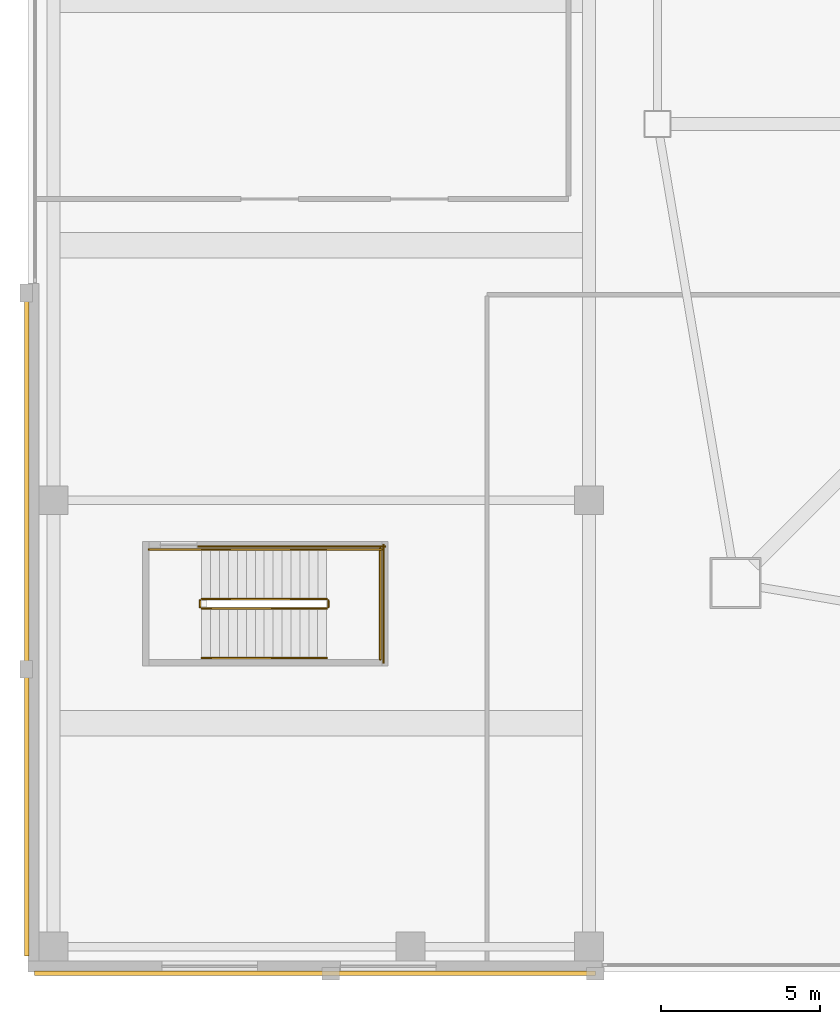
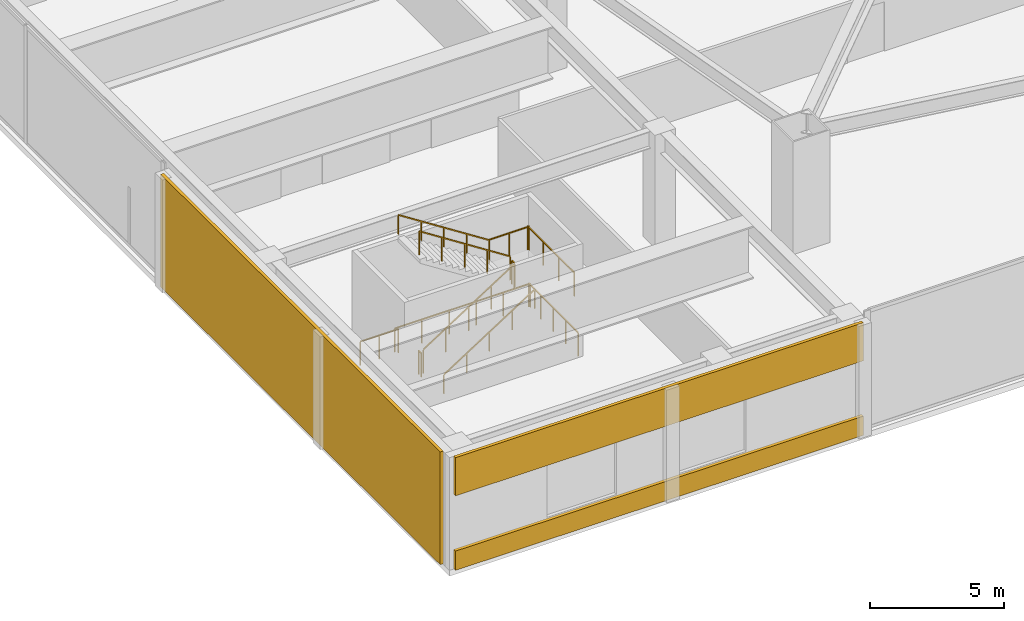
# One storey, part 40 of 48: 11 railings, 3 coverings.
"""IFC4 building model written with IfcOpenShell, lengths in metres."""

from ifc_helpers import new_model, si_unit, direction, frame, origin, origin_2d, place, context, subcontext, project, spatial, rectangle, extrude, material, layer, layer_set, type_object, element, save


model = new_model("IFC4")

# Units and contexts
model_context = context("Model", 3, precision=1e-05, world=origin(), true_north=direction((0.0, 1.0)))
body_context = subcontext(model_context, "Body", "Model", "MODEL_VIEW")
ifc_project = project(units=[si_unit("LENGTHUNIT", "METRE"), si_unit("AREAUNIT", "SQUARE_METRE"), si_unit("VOLUMEUNIT", "CUBIC_METRE"), si_unit("PLANEANGLEUNIT", "RADIAN"), si_unit("MASSUNIT", "GRAM", prefix="KILO")], contexts=[model_context])

# Site, building, storey
site_placement = place(None, origin())
site = spatial("IfcSite", under=ifc_project, at=site_placement, CompositionType="ELEMENT")
building_placement = place(site_placement, origin())
building = spatial("IfcBuilding", under=site, at=building_placement, Name="Tashvorn Skyway Center", CompositionType="ELEMENT")
storey_placement = place(building_placement, frame((0.0, 0.0, 10.199951171875)))
storey = spatial("IfcBuildingStorey", under=building, at=storey_placement, Name="L02", CompositionType="ELEMENT", Elevation=10.199951171875)

# Coverings
ifc_material_1 = material(Name="Precast concrete C40/50", Category="concrete")
ifc_layer = layer(ifc_material_1, 0.35009765625)
ifc_layer_set = layer_set([ifc_layer], Name="Precast concrete C40/50")
covering_type = type_object("IfcCoveringType", Name="COV-STONE-TRIM", PredefinedType="CLADDING", material=ifc_layer_set)
covering_1_placement = place(storey_placement, frame((9.0, -0.0400390625, 0.0), z_axis=(0.0, 0.0, 1.0), x_axis=(1.0, 0.0, 0.0)))
element("IfcCovering", 1, at=covering_1_placement, inside=storey, type_object=covering_type, Name="L02 Limestone Sill Course S-W1", PredefinedType="CLADDING", context=body_context, shape_type="SweptSolid", body=[
    extrude(rectangle(XDim=17.60009765625, YDim=0.139892578125, at=origin_2d()), origin(), (0.0, 0.0, 1.0), 0.8798828125),
])
covering_2_placement = place(storey_placement, frame((9.0, -0.0400390625, 3.39990234375), z_axis=(0.0, 0.0, 1.0), x_axis=(1.0, 0.0, 0.0)))
element("IfcCovering", 2, at=covering_2_placement, inside=storey, type_object=covering_type, Name="L02 Limestone Spandrel Course S-W1", PredefinedType="CLADDING", context=body_context, shape_type="SweptSolid", body=[
    extrude(rectangle(XDim=17.60009765625, YDim=0.139892578125, at=origin_2d()), origin(), (0.0, 0.0, 1.0), 1.739990234375),
])
covering_3_placement = place(storey_placement, frame((-0.0400390625, 10.949951171875, 0.0), z_axis=(0.0, 0.0, 1.0), x_axis=(1.0, 0.0, 0.0)))
element("IfcCovering", 3, at=covering_3_placement, inside=storey, type_object=covering_type, Name="L02 Limestone Rusticated Pier W-S", PredefinedType="CLADDING", context=body_context, shape_type="SweptSolid", body=[
    extrude(rectangle(XDim=0.139892578125, YDim=20.89990234375, at=origin_2d()), origin(), (0.0, 0.0, 1.0), 5.139892578125),
])

# Railings
ifc_material_2 = material(Name="Brushed stainless steel 316", Category="steel")
railing_type_1 = type_object("IfcRailingType", Name="RAIL-HAND-920", PredefinedType="HANDRAIL", material=ifc_material_2)
railing_1_placement = place(storey_placement, frame((5.449951171875, 9.85009765625, 0.179931640625)))
element("IfcRailing", 4, at=railing_1_placement, inside=storey, type_object=railing_type_1, Name="L02 ST-POD-1 stair handrail 1", PredefinedType="HANDRAIL", context=body_context, shape_type="SweptSolid", body=[
    extrude(rectangle(XDim=0.048095703125, YDim=0.048095703125, at=origin_2d()), frame((0.0, 0.0, 0.8759765625), z_axis=(0.841186985886, 0.0, 0.540744352514), x_axis=(0.0, 1.0, 0.0)), (0.0, 0.0, 1.0), 4.660400390625),
    extrude(rectangle(XDim=0.0419921875, YDim=0.0419921875, at=origin_2d()), origin(), (0.0, 0.0, 1.0), 0.851806640625),
    extrude(rectangle(XDim=0.0419921875, YDim=0.0419921875, at=origin_2d()), frame((0.97998046875, 0.0, 0.6298828125)), (0.0, 0.0, 1.0), 0.851806640625),
    extrude(rectangle(XDim=0.0419921875, YDim=0.0419921875, at=origin_2d()), frame((1.9599609375, 0.0, 1.260009765625)), (0.0, 0.0, 1.0), 0.851806640625),
    extrude(rectangle(XDim=0.0419921875, YDim=0.0419921875, at=origin_2d()), frame((2.940185546875, 0.0, 1.89013671875)), (0.0, 0.0, 1.0), 0.851806640625),
    extrude(rectangle(XDim=0.0419921875, YDim=0.0419921875, at=origin_2d()), frame((3.920166015625, 0.0, 2.52001953125)), (0.0, 0.0, 1.0), 0.851806640625),
])
railing_2_placement = place(storey_placement, frame((9.3701171875, 13.25, 2.880126953125)))
element("IfcRailing", 5, at=railing_2_placement, inside=storey, type_object=railing_type_1, Name="L02 ST-POD-1 stair handrail 2", PredefinedType="HANDRAIL", context=body_context, shape_type="SweptSolid", body=[
    extrude(rectangle(XDim=0.048095703125, YDim=0.048095703125, at=origin_2d()), frame((0.0, 0.0, 0.8759765625), z_axis=(-0.841186985886, 0.0, 0.540744352514), x_axis=(0.0, -1.0, 0.0)), (0.0, 0.0, 1.0), 4.660400390625),
    extrude(rectangle(XDim=0.0419921875, YDim=0.0419921875, at=origin_2d()), origin(), (0.0, 0.0, 1.0), 0.851806640625),
    extrude(rectangle(XDim=0.0419921875, YDim=0.0419921875, at=origin_2d()), frame((-0.97998046875, 0.0, 0.6298828125)), (0.0, 0.0, 1.0), 0.851806640625),
    extrude(rectangle(XDim=0.0419921875, YDim=0.0419921875, at=origin_2d()), frame((-1.9599609375, 0.0, 1.260009765625)), (0.0, 0.0, 1.0), 0.851806640625),
    extrude(rectangle(XDim=0.0419921875, YDim=0.0419921875, at=origin_2d()), frame((-2.940185546875, 0.0, 1.89013671875)), (0.0, 0.0, 1.0), 0.851806640625),
    extrude(rectangle(XDim=0.0419921875, YDim=0.0419921875, at=origin_2d()), frame((-3.920166015625, 0.0, 2.52001953125)), (0.0, 0.0, 1.0), 0.851806640625),
])
ifc_material_3 = material(Name="Painted galvanized steel S355", Category="steel")
railing_type_2 = type_object("IfcRailingType", Name="RAIL-STGUARD-1100", PredefinedType="GUARDRAIL", material=ifc_material_3)
railing_3_placement = place(storey_placement, frame((5.449951171875, 11.39990234375, 0.179931640625)))
element("IfcRailing", 6, at=railing_3_placement, inside=storey, type_object=railing_type_2, Name="L02 ST-POD-1 stair guard 1", PredefinedType="GUARDRAIL", context=body_context, shape_type="SweptSolid", body=[
    extrude(rectangle(XDim=0.048095703125, YDim=0.048095703125, at=origin_2d()), frame((0.0, 0.0, 1.076171875), z_axis=(0.841186985886, 0.0, 0.540744352514), x_axis=(0.0, 1.0, 0.0)), (0.0, 0.0, 1.0), 4.660400390625),
    extrude(rectangle(XDim=0.0419921875, YDim=0.0419921875, at=origin_2d()), origin(), (0.0, 0.0, 1.0), 1.052001953125),
    extrude(rectangle(XDim=0.0419921875, YDim=0.0419921875, at=origin_2d()), frame((0.97998046875, 0.0, 0.6298828125)), (0.0, 0.0, 1.0), 1.052001953125),
    extrude(rectangle(XDim=0.0419921875, YDim=0.0419921875, at=origin_2d()), frame((1.9599609375, 0.0, 1.260009765625)), (0.0, 0.0, 1.0), 1.052001953125),
    extrude(rectangle(XDim=0.0419921875, YDim=0.0419921875, at=origin_2d()), frame((2.940185546875, 0.0, 1.89013671875)), (0.0, 0.0, 1.0), 1.052001953125),
    extrude(rectangle(XDim=0.0419921875, YDim=0.0419921875, at=origin_2d()), frame((3.920166015625, 0.0, 2.52001953125)), (0.0, 0.0, 1.0), 1.052001953125),
])
railing_4_placement = place(storey_placement, frame((9.419921875, 11.449951171875, 2.699951171875)))
element("IfcRailing", 7, at=railing_4_placement, inside=storey, type_object=railing_type_2, Name="L02 ST-POD-1 stair guard 2", PredefinedType="GUARDRAIL", context=body_context, shape_type="SweptSolid", body=[
    extrude(rectangle(XDim=0.048095703125, YDim=0.048095703125, at=origin_2d()), frame((0.0, 0.0, 1.076171875), z_axis=(0.0, 1.0, 0.0), x_axis=(-1.0, 0.0, 0.0)), (0.0, 0.0, 1.0), 0.199951171875),
    extrude(rectangle(XDim=0.0419921875, YDim=0.0419921875, at=origin_2d()), origin(), (0.0, 0.0, 1.0), 1.052001953125),
    extrude(rectangle(XDim=0.0419921875, YDim=0.0419921875, at=origin_2d()), frame((0.0, 0.199951171875, 0.0)), (0.0, 0.0, 1.0), 1.052001953125),
])
railing_5_placement = place(storey_placement, frame((9.3701171875, 13.25, 2.699951171875)))
element("IfcRailing", 8, at=railing_5_placement, inside=storey, type_object=railing_type_2, Name="L02 ST-POD-1 stair guard 3", PredefinedType="GUARDRAIL", context=body_context, shape_type="SweptSolid", body=[
    extrude(rectangle(XDim=0.048095703125, YDim=0.048095703125, at=origin_2d()), frame((0.0, 0.0, 1.076171875), z_axis=(1.0, 0.0, 0.0), x_axis=(0.0, 1.0, 0.0)), (0.0, 0.0, 1.0), 1.72998046875),
    extrude(rectangle(XDim=0.0419921875, YDim=0.0419921875, at=origin_2d()), origin(), (0.0, 0.0, 1.0), 1.052001953125),
    extrude(rectangle(XDim=0.0419921875, YDim=0.0419921875, at=origin_2d()), frame((0.864990234375, 0.0, 0.0)), (0.0, 0.0, 1.0), 1.052001953125),
    extrude(rectangle(XDim=0.0419921875, YDim=0.0419921875, at=origin_2d()), frame((1.72998046875, 0.0, 0.0)), (0.0, 0.0, 1.0), 1.052001953125),
])
railing_6_placement = place(storey_placement, frame((11.050048828125, 9.800048828125, 2.699951171875)))
element("IfcRailing", 9, at=railing_6_placement, inside=storey, type_object=railing_type_2, Name="L02 ST-POD-1 stair guard 4", PredefinedType="GUARDRAIL", context=body_context, shape_type="SweptSolid", body=[
    extrude(rectangle(XDim=0.048095703125, YDim=0.048095703125, at=origin_2d()), frame((0.0, 0.0, 1.076171875), z_axis=(0.0, 1.0, 0.0), x_axis=(-1.0, 0.0, 0.0)), (0.0, 0.0, 1.0), 3.5),
    extrude(rectangle(XDim=0.0419921875, YDim=0.0419921875, at=origin_2d()), origin(), (0.0, 0.0, 1.0), 1.052001953125),
    extrude(rectangle(XDim=0.0419921875, YDim=0.0419921875, at=origin_2d()), frame((0.0, 1.166748046875, 0.0)), (0.0, 0.0, 1.0), 1.052001953125),
    extrude(rectangle(XDim=0.0419921875, YDim=0.0419921875, at=origin_2d()), frame((0.0, 2.333251953125, 0.0)), (0.0, 0.0, 1.0), 1.052001953125),
    extrude(rectangle(XDim=0.0419921875, YDim=0.0419921875, at=origin_2d()), frame((0.0, 3.5, 0.0)), (0.0, 0.0, 1.0), 1.052001953125),
])
railing_7_placement = place(storey_placement, frame((9.3701171875, 11.699951171875, 2.880126953125)))
element("IfcRailing", 10, at=railing_7_placement, inside=storey, type_object=railing_type_2, Name="L02 ST-POD-1 stair guard 5", PredefinedType="GUARDRAIL", context=body_context, shape_type="SweptSolid", body=[
    extrude(rectangle(XDim=0.048095703125, YDim=0.048095703125, at=origin_2d()), frame((0.0, 0.0, 1.076171875), z_axis=(-0.841186985886, 0.0, 0.540744352514), x_axis=(0.0, -1.0, 0.0)), (0.0, 0.0, 1.0), 4.660400390625),
    extrude(rectangle(XDim=0.0419921875, YDim=0.0419921875, at=origin_2d()), origin(), (0.0, 0.0, 1.0), 1.052001953125),
    extrude(rectangle(XDim=0.0419921875, YDim=0.0419921875, at=origin_2d()), frame((-0.97998046875, 0.0, 0.6298828125)), (0.0, 0.0, 1.0), 1.052001953125),
    extrude(rectangle(XDim=0.0419921875, YDim=0.0419921875, at=origin_2d()), frame((-1.9599609375, 0.0, 1.260009765625)), (0.0, 0.0, 1.0), 1.052001953125),
    extrude(rectangle(XDim=0.0419921875, YDim=0.0419921875, at=origin_2d()), frame((-2.940185546875, 0.0, 1.89013671875)), (0.0, 0.0, 1.0), 1.052001953125),
    extrude(rectangle(XDim=0.0419921875, YDim=0.0419921875, at=origin_2d()), frame((-3.920166015625, 0.0, 2.52001953125)), (0.0, 0.0, 1.0), 1.052001953125),
])
railing_8_placement = place(storey_placement, frame((5.39990234375, 11.449951171875, 0.0)))
element("IfcRailing", 11, at=railing_8_placement, inside=storey, type_object=railing_type_2, Name="L02 ST-POD-1 stair guard 6", PredefinedType="GUARDRAIL", context=body_context, shape_type="SweptSolid", body=[
    extrude(rectangle(XDim=0.048095703125, YDim=0.048095703125, at=origin_2d()), frame((0.0, 0.0, 1.076171875), z_axis=(0.0, 1.0, 0.0), x_axis=(-1.0, 0.0, 0.0)), (0.0, 0.0, 1.0), 0.199951171875),
    extrude(rectangle(XDim=0.0419921875, YDim=0.0419921875, at=origin_2d()), origin(), (0.0, 0.0, 1.0), 1.052001953125),
    extrude(rectangle(XDim=0.0419921875, YDim=0.0419921875, at=origin_2d()), frame((0.0, 0.199951171875, 0.0)), (0.0, 0.0, 1.0), 1.052001953125),
])
railing_9_placement = place(storey_placement, frame((3.800048828125, 13.25, 0.0)))
element("IfcRailing", 12, at=railing_9_placement, inside=storey, type_object=railing_type_2, Name="L02 ST-POD-1 stair guard 7", PredefinedType="GUARDRAIL", context=body_context, shape_type="SweptSolid", body=[
    extrude(rectangle(XDim=0.048095703125, YDim=0.048095703125, at=origin_2d()), frame((0.0, 0.0, 1.076171875), z_axis=(1.0, 0.0, 0.0), x_axis=(0.0, 1.0, 0.0)), (0.0, 0.0, 1.0), 1.64990234375),
    extrude(rectangle(XDim=0.0419921875, YDim=0.0419921875, at=origin_2d()), origin(), (0.0, 0.0, 1.0), 1.052001953125),
    extrude(rectangle(XDim=0.0419921875, YDim=0.0419921875, at=origin_2d()), frame((0.824951171875, 0.0, 0.0)), (0.0, 0.0, 1.0), 1.052001953125),
    extrude(rectangle(XDim=0.0419921875, YDim=0.0419921875, at=origin_2d()), frame((1.64990234375, 0.0, 0.0)), (0.0, 0.0, 1.0), 1.052001953125),
])
railing_10_placement = place(storey_placement, frame((5.35009765625, 13.35009765625, 0.0)))
element("IfcRailing", 13, at=railing_10_placement, inside=storey, type_object=railing_type_2, Name="L02 ST-POD-1 stair guard 8", PredefinedType="GUARDRAIL", context=body_context, shape_type="SweptSolid", body=[
    extrude(rectangle(XDim=0.048095703125, YDim=0.048095703125, at=origin_2d()), frame((0.0, 0.0, 1.076171875), z_axis=(1.0, 0.0, 0.0), x_axis=(0.0, 1.0, 0.0)), (0.0, 0.0, 1.0), 5.849853515625),
    extrude(rectangle(XDim=0.0419921875, YDim=0.0419921875, at=origin_2d()), origin(), (0.0, 0.0, 1.0), 1.052001953125),
    extrude(rectangle(XDim=0.0419921875, YDim=0.0419921875, at=origin_2d()), frame((1.169921875, 0.0, 0.0)), (0.0, 0.0, 1.0), 1.052001953125),
    extrude(rectangle(XDim=0.0419921875, YDim=0.0419921875, at=origin_2d()), frame((2.33984375, 0.0, 0.0)), (0.0, 0.0, 1.0), 1.052001953125),
    extrude(rectangle(XDim=0.0419921875, YDim=0.0419921875, at=origin_2d()), frame((3.510009765625, 0.0, 0.0)), (0.0, 0.0, 1.0), 1.052001953125),
    extrude(rectangle(XDim=0.0419921875, YDim=0.0419921875, at=origin_2d()), frame((4.679931640625, 0.0, 0.0)), (0.0, 0.0, 1.0), 1.052001953125),
    extrude(rectangle(XDim=0.0419921875, YDim=0.0419921875, at=origin_2d()), frame((5.849853515625, 0.0, 0.0)), (0.0, 0.0, 1.0), 1.052001953125),
])
railing_11_placement = place(storey_placement, frame((11.14990234375, 9.699951171875, 0.0)))
element("IfcRailing", 14, at=railing_11_placement, inside=storey, type_object=railing_type_2, Name="L02 ST-POD-1 stair guard 9", PredefinedType="GUARDRAIL", context=body_context, shape_type="SweptSolid", body=[
    extrude(rectangle(XDim=0.048095703125, YDim=0.048095703125, at=origin_2d()), frame((0.0, 0.0, 1.076171875), z_axis=(0.0, 1.0, 0.0), x_axis=(-1.0, 0.0, 0.0)), (0.0, 0.0, 1.0), 3.699951171875),
    extrude(rectangle(XDim=0.0419921875, YDim=0.0419921875, at=origin_2d()), origin(), (0.0, 0.0, 1.0), 1.052001953125),
    extrude(rectangle(XDim=0.0419921875, YDim=0.0419921875, at=origin_2d()), frame((0.0, 0.925048828125, 0.0)), (0.0, 0.0, 1.0), 1.052001953125),
    extrude(rectangle(XDim=0.0419921875, YDim=0.0419921875, at=origin_2d()), frame((0.0, 1.85009765625, 0.0)), (0.0, 0.0, 1.0), 1.052001953125),
    extrude(rectangle(XDim=0.0419921875, YDim=0.0419921875, at=origin_2d()), frame((0.0, 2.77490234375, 0.0)), (0.0, 0.0, 1.0), 1.052001953125),
    extrude(rectangle(XDim=0.0419921875, YDim=0.0419921875, at=origin_2d()), frame((0.0, 3.699951171875, 0.0)), (0.0, 0.0, 1.0), 1.052001953125),
])

save(model, "model.ifc")
